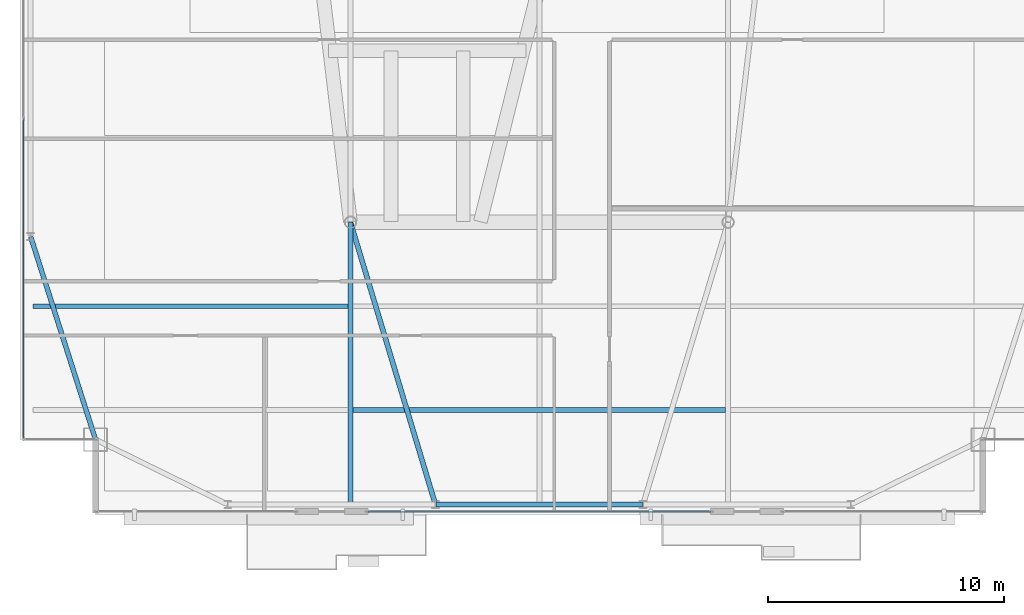
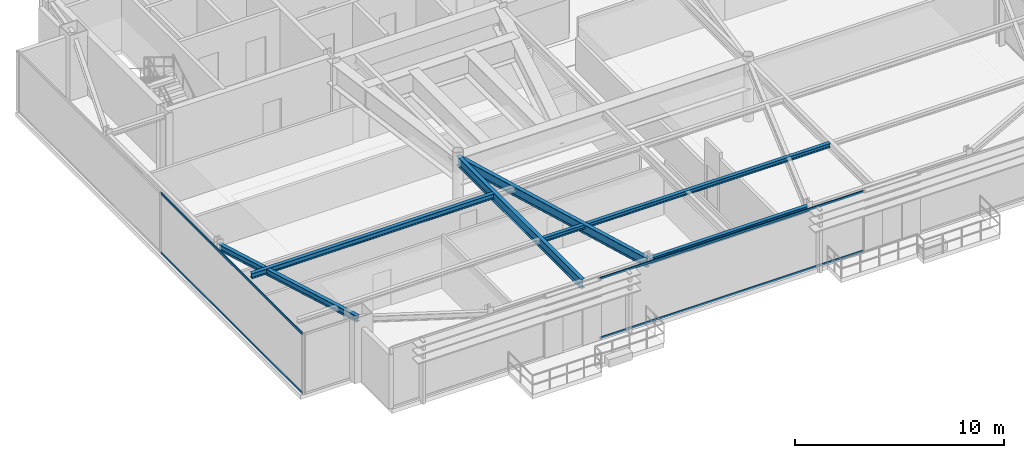
# One storey, part 6 of 21: 6 beams, 4 members, 2 elements without a shape of their own.
"""IFC4 building model written with IfcOpenShell, lengths in metres."""

from ifc_helpers import new_model, si_unit, direction, frame, origin, origin_2d, place, context, subcontext, project, spatial, hollow_rectangle, i_section, extrude, source, transform, mapped, material, layer, layer_set, material_profile, profile_set, type_object, type_shapes, element, aggregate, save


model = new_model("IFC4")

# Units and contexts
model_context = context("Model", 3, precision=1e-05, world=origin(), true_north=direction((0.0, 1.0)))
body_context = subcontext(model_context, "Body", "Model", "MODEL_VIEW")
ifc_project = project(units=[si_unit("LENGTHUNIT", "METRE"), si_unit("AREAUNIT", "SQUARE_METRE"), si_unit("VOLUMEUNIT", "CUBIC_METRE"), si_unit("PLANEANGLEUNIT", "RADIAN"), si_unit("MASSUNIT", "GRAM", prefix="KILO")], contexts=[model_context])

# Site, building, storey
site_placement = place(None, origin())
site = spatial("IfcSite", under=ifc_project, at=site_placement, CompositionType="ELEMENT")
building_placement = place(site_placement, origin())
building = spatial("IfcBuilding", under=site, at=building_placement, Name="Varnel Quay Broadcast Tower", CompositionType="ELEMENT")
storey_placement = place(building_placement, frame((0.0, 0.0, 296.39990234375)))
storey = spatial("IfcBuildingStorey", under=building, at=storey_placement, Name="L74", CompositionType="ELEMENT", Elevation=296.39990234375)

# Beams
ifc_material_1 = material(Name="Structural Steel CSA G40.21 350W", Category="steel")
ifc_material_profile_1 = material_profile(ifc_material_1, i_section(OverallWidth=0.205078125, OverallDepth=0.35400390625, WebThickness=0.009521484375, FlangeThickness=0.016845703125, FilletRadius=0.012939453125, at=origin_2d()), Name="W360X79")
ifc_profile_set_1 = profile_set([ifc_material_profile_1], Name="Structural Steel CSA G40.21 350W")
beam_type_1 = type_object("IfcBeamType", Name="Beam_W360X79", PredefinedType="SPANDREL", material=ifc_profile_set_1)
shared_shape_1 = source(origin(), body_context, "Body", "SweptSolid", [
    extrude(i_section(OverallWidth=0.205078125, OverallDepth=0.35400390625, WebThickness=0.009521484375, FlangeThickness=0.016845703125, FilletRadius=0.012939453125, at=origin_2d()), origin(), (0.0, 0.0, 1.0), 8.759765625),
])
beam_1_placement = place(storey_placement, frame((29.6201171875, 13.64990234375, 3.343017578125), z_axis=(1.0, 0.0, 0.0), x_axis=(0.0, 1.0, 0.0)))
element("IfcBeam", 1, at=beam_1_placement, inside=storey, type_object=beam_type_1, Name="L74 South Spandrel TC-S2-TC-S3", PredefinedType="SPANDREL", context=body_context, shape_type="MappedRepresentation", body=[
    mapped(shared_shape_1, transform((0.0, 0.0, 0.0), x_axis=(1.0, 0.0, 0.0), y_axis=(0.0, 1.0, 0.0), z_axis=(0.0, 0.0, 1.0), scale=1.0)),
])
shared_shape_2 = source(origin(), body_context, "Body", "SweptSolid", [
    extrude(i_section(OverallWidth=0.205078125, OverallDepth=0.35400390625, WebThickness=0.009521484375, FlangeThickness=0.016845703125, FilletRadius=0.012939453125, at=origin_2d()), origin(), (0.0, 0.0, 1.0), 8.989013671875),
])
type_shapes(beam_type_1, [shared_shape_1, shared_shape_2])
beam_2_placement = place(storey_placement, frame((15.19384765625, 16.4189453125, 3.343017578125), z_axis=(-0.304568770162, 0.952490348635, 0.0), x_axis=(-0.952490348635, -0.304568770162, 0.0)))
element("IfcBeam", 2, at=beam_2_placement, inside=storey, type_object=beam_type_1, Name="L74 West Spandrel MC-SW-TC-W1", PredefinedType="SPANDREL", context=body_context, shape_type="MappedRepresentation", body=[
    mapped(shared_shape_2, transform((0.0, 0.0, 0.0), x_axis=(1.0, 0.0, 0.0), y_axis=(0.0, 1.0, 0.0), z_axis=(0.0, 0.0, 1.0), scale=1.0)),
])
ifc_material_profile_2 = material_profile(ifc_material_1, i_section(OverallWidth=0.2119140625, OverallDepth=0.5439453125, WebThickness=0.01318359375, FlangeThickness=0.021240234375, FilletRadius=0.013916015625, at=origin_2d()), Name="W530X123")
ifc_profile_set_2 = profile_set([ifc_material_profile_2], Name="Structural Steel CSA G40.21 350W")
beam_type_2 = type_object("IfcBeamType", Name="Girder_W530X123", PredefinedType="BEAM", material=ifc_profile_set_2)
shared_shape_3 = source(origin(), body_context, "Body", "SweptSolid", [
    extrude(i_section(OverallWidth=0.2119140625, OverallDepth=0.5439453125, WebThickness=0.01318359375, FlangeThickness=0.021240234375, FilletRadius=0.013916015625, at=origin_2d()), origin(), (0.0, 0.0, 1.0), 12.449951171875),
])
beam_3_placement = place(storey_placement, frame((29.59423828125, 13.669189453125, 3.248046875), z_axis=(-0.28822390679, 0.957563042078, 0.0), x_axis=(-0.957563042078, -0.28822390679, 0.0)))
element("IfcBeam", 3, at=beam_3_placement, inside=storey, type_object=beam_type_2, Name="L74 Primary Girder TC-S2-IC-01", PredefinedType="BEAM", context=body_context, shape_type="MappedRepresentation", body=[
    mapped(shared_shape_3, transform((0.0, 0.0, 0.0), x_axis=(1.0, 0.0, 0.0), y_axis=(0.0, 1.0, 0.0), z_axis=(0.0, 0.0, 1.0), scale=1.0)),
])
shared_shape_4 = source(origin(), body_context, "Body", "SweptSolid", [
    extrude(i_section(OverallWidth=0.2119140625, OverallDepth=0.5439453125, WebThickness=0.01318359375, FlangeThickness=0.021240234375, FilletRadius=0.013916015625, at=origin_2d()), origin(), (0.0, 0.0, 1.0), 11.920166015625),
])
type_shapes(beam_type_2, [shared_shape_3, shared_shape_4])
beam_4_placement = place(storey_placement, frame((26.0, 13.669921875, 3.248046875), z_axis=(0.0, 1.0, 0.0), x_axis=(-1.0, 0.0, 0.0)))
element("IfcBeam", 4, at=beam_4_placement, inside=storey, type_object=beam_type_2, Name="L74 N-S Joist Header IC-01S", PredefinedType="BEAM", context=body_context, shape_type="MappedRepresentation", body=[
    mapped(shared_shape_4, transform((0.0, 0.0, 0.0), x_axis=(1.0, 0.0, 0.0), y_axis=(0.0, 1.0, 0.0), z_axis=(0.0, 0.0, 1.0), scale=1.0)),
])
ifc_material_profile_3 = material_profile(ifc_material_1, i_section(OverallWidth=0.201904296875, OverallDepth=0.2470703125, WebThickness=0.00732421875, FlangeThickness=0.010986328125, FilletRadius=0.010986328125, at=origin_2d()), Name="W250X49")
ifc_profile_set_3 = profile_set([ifc_material_profile_3], Name="Structural Steel CSA G40.21 350W")
beam_type_3 = type_object("IfcBeamType", Name="Beam_W250X49", PredefinedType="JOIST", material=ifc_profile_set_3)
shared_shape_5 = source(origin(), body_context, "Body", "SweptSolid", [
    extrude(i_section(OverallWidth=0.201904296875, OverallDepth=0.2470703125, WebThickness=0.00732421875, FlangeThickness=0.010986328125, FilletRadius=0.010986328125, at=origin_2d()), origin(), (0.0, 0.0, 1.0), 15.7978515625),
])
type_shapes(beam_type_3, [shared_shape_5])
beam_5_placement = place(storey_placement, frame((26.10107421875, 17.64990234375, 3.396484375), z_axis=(1.0, 0.0, 0.0), x_axis=(0.0, 1.0, 0.0)))
element("IfcBeam", 5, at=beam_5_placement, inside=storey, type_object=beam_type_3, Name="L74 Central Floor Joist 1", PredefinedType="JOIST", context=body_context, shape_type="MappedRepresentation", body=[
    mapped(shared_shape_5, transform((0.0, 0.0, 0.0), x_axis=(1.0, 0.0, 0.0), y_axis=(0.0, 1.0, 0.0), z_axis=(0.0, 0.0, 1.0), scale=1.0)),
])
ifc_material_profile_4 = material_profile(ifc_material_1, i_section(OverallWidth=0.202880859375, OverallDepth=0.302978515625, WebThickness=0.007568359375, FlangeThickness=0.01318359375, FilletRadius=0.011962890625, at=origin_2d()), Name="W310X60")
ifc_profile_set_4 = profile_set([ifc_material_profile_4], Name="Structural Steel CSA G40.21 350W")
beam_type_4 = type_object("IfcBeamType", Name="Beam_W310X60", PredefinedType="JOIST", material=ifc_profile_set_4)
shared_shape_6 = source(origin(), body_context, "Body", "SweptSolid", [
    extrude(i_section(OverallWidth=0.202880859375, OverallDepth=0.302978515625, WebThickness=0.007568359375, FlangeThickness=0.01318359375, FilletRadius=0.011962890625, at=origin_2d()), origin(), (0.0, 0.0, 1.0), 13.351318359375),
])
type_shapes(beam_type_4, [shared_shape_6])
beam_6_placement = place(storey_placement, frame((12.547607421875, 22.050048828125, 3.36865234375), z_axis=(1.0, 0.0, 0.0), x_axis=(0.0, 1.0, 0.0)))
element("IfcBeam", 6, at=beam_6_placement, inside=storey, type_object=beam_type_4, Name="L74 West Floor Joist 2", PredefinedType="JOIST", context=body_context, shape_type="MappedRepresentation", body=[
    mapped(shared_shape_6, transform((0.0, 0.0, 0.0), x_axis=(1.0, 0.0, 0.0), y_axis=(0.0, 1.0, 0.0), z_axis=(0.0, 0.0, 1.0), scale=1.0)),
])

# Curtain wall, members
ifc_material_2 = material(Name="Anodised Bronze Aluminium 6063-T6", Category="aluminium")
ifc_layer = layer(ifc_material_2, 0.18994140625, Name="Anodised Bronze Aluminium 6063-T6")
ifc_layer_set = layer_set([ifc_layer], Name="Anodised Bronze Aluminium 6063-T6")
curtain_wall_type = type_object("IfcCurtainWallType", Name="CW_UpperTower", PredefinedType="NOTDEFINED", material=ifc_layer_set)
curtain_wall_1_placement = place(storey_placement, origin())
curtain_wall_1 = element("IfcCurtainWall", 7, at=curtain_wall_1_placement, inside=storey, type_object=curtain_wall_type, Name="L74 West Unitised Curtain Wall", PredefinedType="NOTDEFINED")
ifc_material_profile_5 = material_profile(ifc_material_2, hollow_rectangle(XDim=0.06005859375, YDim=0.125, WallThickness=0.0029296875, at=origin_2d()), Name="ALU60X125X3")
ifc_profile_set_5 = profile_set([ifc_material_profile_5], Name="Anodised Bronze Aluminium 6063-T6")
member_type = type_object("IfcMemberType", Name="Tran_CWS-03", PredefinedType="USERDEFINED", material=ifc_profile_set_5)
shared_shape_7 = source(origin(), body_context, "Body", "SweptSolid", [
    extrude(hollow_rectangle(XDim=0.06005859375, YDim=0.125, WallThickness=0.0029296875, at=origin_2d()), origin(), (0.0, 0.0, 1.0), 13.50244140625),
])
member_1_placement = place(storey_placement, frame((12.14990234375, 16.465087890625, 0.030029296875), z_axis=(0.0, 1.0, 0.0), x_axis=(-1.0, 0.0, 0.0)))
member_1 = element("IfcMember", 8, at=member_1_placement, type_object=member_type, Name="CWS-03 transom 1.1", ObjectType="TRANSOM", PredefinedType="USERDEFINED", context=body_context, shape_type="MappedRepresentation", body=[
    mapped(shared_shape_7, transform((0.0, 0.0, 0.0), x_axis=(1.0, 0.0, 0.0), y_axis=(0.0, 1.0, 0.0), z_axis=(0.0, 0.0, 1.0), scale=1.0)),
])
member_2_placement = place(storey_placement, frame((12.14990234375, 16.465087890625, 3.489990234375), z_axis=(0.0, 1.0, 0.0), x_axis=(-1.0, 0.0, 0.0)))
member_2 = element("IfcMember", 9, at=member_2_placement, type_object=member_type, Name="CWS-03 transom 1.2", ObjectType="TRANSOM", PredefinedType="USERDEFINED", context=body_context, shape_type="MappedRepresentation", body=[
    mapped(shared_shape_7, transform((0.0, 0.0, 0.0), x_axis=(1.0, 0.0, 0.0), y_axis=(0.0, 1.0, 0.0), z_axis=(0.0, 0.0, 1.0), scale=1.0)),
])
aggregate(curtain_wall_1, [member_1, member_2])

curtain_wall_2_placement = place(storey_placement, origin())
curtain_wall_2 = element("IfcCurtainWall", 10, at=curtain_wall_2_placement, inside=storey, type_object=curtain_wall_type, Name="L74 South Unitised Curtain Wall 2", PredefinedType="NOTDEFINED")
shared_shape_8 = source(origin(), body_context, "Body", "SweptSolid", [
    extrude(hollow_rectangle(XDim=0.06005859375, YDim=0.125, WallThickness=0.0029296875, at=origin_2d()), origin(), (0.0, 0.0, 1.0), 14.509765625),
])
type_shapes(member_type, [shared_shape_7, shared_shape_8])
member_3_placement = place(storey_placement, frame((26.7451171875, 13.35009765625, 0.030029296875), z_axis=(1.0, 0.0, 0.0), x_axis=(0.0, 1.0, 0.0)))
member_3 = element("IfcMember", 11, at=member_3_placement, type_object=member_type, Name="CWS-03 transom 1.1", ObjectType="TRANSOM", PredefinedType="USERDEFINED", context=body_context, shape_type="MappedRepresentation", body=[
    mapped(shared_shape_8, transform((0.0, 0.0, 0.0), x_axis=(1.0, 0.0, 0.0), y_axis=(0.0, 1.0, 0.0), z_axis=(0.0, 0.0, 1.0), scale=1.0)),
])
member_4_placement = place(storey_placement, frame((26.7451171875, 13.35009765625, 3.489990234375), z_axis=(1.0, 0.0, 0.0), x_axis=(0.0, 1.0, 0.0)))
member_4 = element("IfcMember", 12, at=member_4_placement, type_object=member_type, Name="CWS-03 transom 1.2", ObjectType="TRANSOM", PredefinedType="USERDEFINED", context=body_context, shape_type="MappedRepresentation", body=[
    mapped(shared_shape_8, transform((0.0, 0.0, 0.0), x_axis=(1.0, 0.0, 0.0), y_axis=(0.0, 1.0, 0.0), z_axis=(0.0, 0.0, 1.0), scale=1.0)),
])
aggregate(curtain_wall_2, [member_3, member_4])

save(model, "model.ifc")
